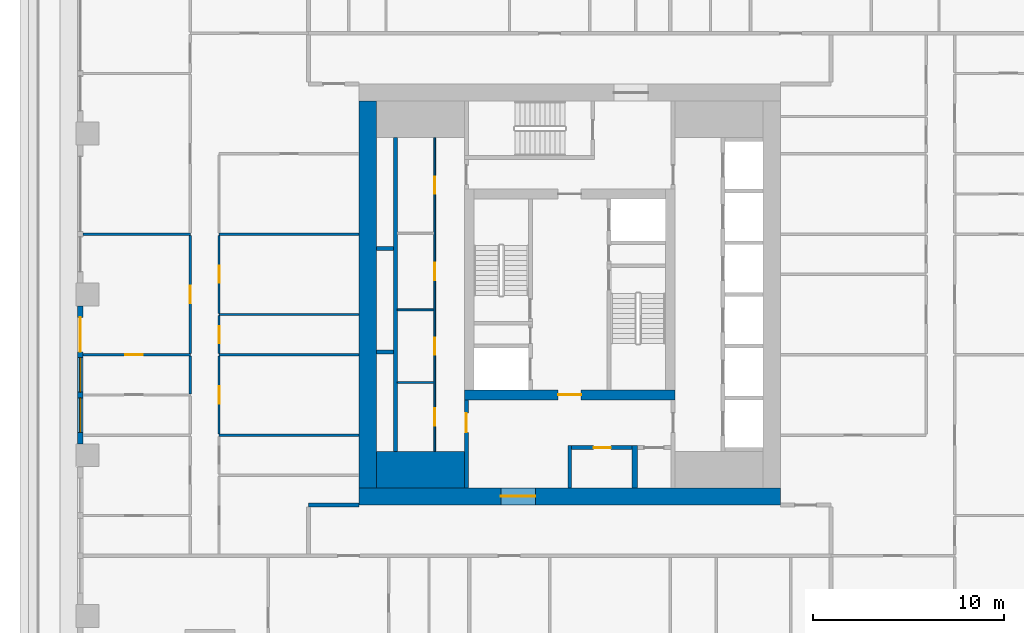
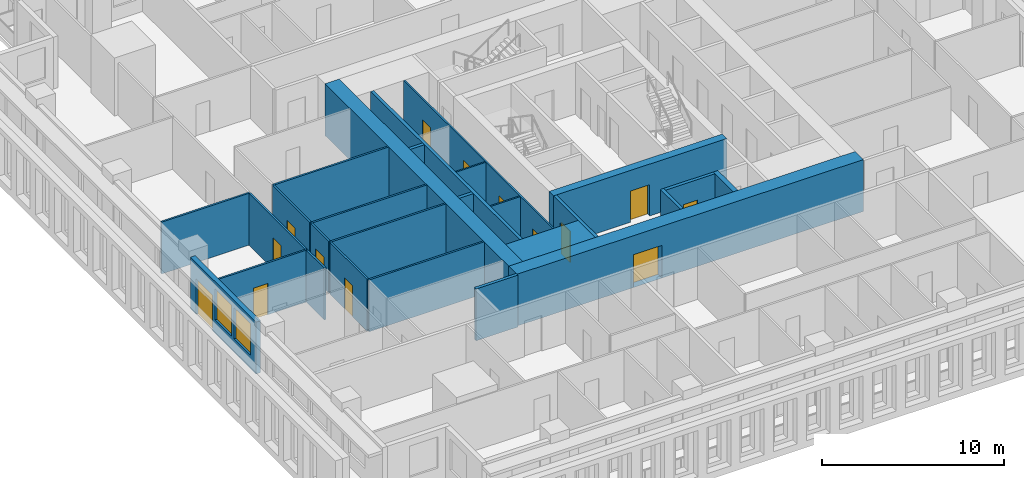
# One storey, part 3 of 15: 27 walls, 14 doors, 2 windows, 16 openings.
"""IFC4 building model written with IfcOpenShell, lengths in metres."""

from ifc_helpers import new_model, si_unit, direction, frame, frame_2d, origin, place, context, subcontext, project, spatial, rectangle, extrude, material, layer, layer_set, type_object, element, fill, save


model = new_model("IFC4")

# Units and contexts
model_context = context("Model", 3, precision=1e-05, world=origin(), true_north=direction((0.0, 1.0)))
body_context = subcontext(model_context, "Body", "Model", "MODEL_VIEW")
ifc_project = project(units=[si_unit("LENGTHUNIT", "METRE"), si_unit("AREAUNIT", "SQUARE_METRE"), si_unit("VOLUMEUNIT", "CUBIC_METRE"), si_unit("PLANEANGLEUNIT", "RADIAN"), si_unit("MASSUNIT", "GRAM", prefix="KILO")], contexts=[model_context])

# Site, building, storey
site_placement = place(None, origin())
site = spatial("IfcSite", under=ifc_project, at=site_placement, CompositionType="ELEMENT")
building_placement = place(site_placement, origin())
building = spatial("IfcBuilding", under=site, at=building_placement, Name="Khepri Terraces", CompositionType="ELEMENT")
storey_placement = place(building_placement, frame((0.0, 0.0, 161.10009765625)))
storey = spatial("IfcBuildingStorey", under=building, at=storey_placement, Name="L38", CompositionType="ELEMENT", Elevation=161.10009765625)

# Walls
ifc_material_1 = material(Name="Concrete C60/75", Category="concrete")
ifc_layer_1 = layer(ifc_material_1, 1.89990234375, Name="Concrete C60/75", Category="concrete")
ifc_layer_set_1 = layer_set([ifc_layer_1], Name="Concrete C60/75")
wall_type_1 = type_object("IfcWallType", Name="Core wall 1900 C60/75", PredefinedType="SHEAR", material=ifc_layer_set_1)
wall_1_placement = place(storey_placement, frame((-10.10009765625, -9.14990234375, 0.0), z_axis=(0.0, 0.0, 1.0), x_axis=(1.0, 0.0, 0.0)))
element("IfcWall", 1, at=wall_1_placement, inside=storey, type_object=wall_type_1, Name="Core wall PR01 L38", PredefinedType="SHEAR", context=body_context, shape_type="SweptSolid", body=[
    extrude(rectangle(XDim=4.60009765625, YDim=1.89990234375, at=frame_2d((2.300048828125, 0.0))), origin(), (0.0, 0.0, 1.0), 3.47998046875),
])
ifc_layer_2 = layer(ifc_material_1, 0.199951171875, Name="Concrete C60/75", Category="concrete")
ifc_layer_set_2 = layer_set([ifc_layer_2], Name="Concrete C60/75")
wall_type_2 = type_object("IfcWallType", Name="Core wall 200 C60/75", PredefinedType="SHEAR", material=ifc_layer_set_2)
wall_2_placement = place(storey_placement, frame((-9.10009765625, -8.199951171875, 0.0), z_axis=(0.0, 0.0, 1.0), x_axis=(0.0, 1.0, 0.0)))
element("IfcWall", 2, at=wall_2_placement, inside=storey, type_object=wall_type_2, Name="Core wall SH01 L38", PredefinedType="SHEAR", context=body_context, shape_type="SweptSolid", body=[
    extrude(rectangle(XDim=16.39990234375, YDim=0.199951171875, at=frame_2d((8.199951171875, 0.0))), origin(), (0.0, 0.0, 1.0), 3.47998046875),
])
for number, where, z_axis, x_axis, name in (
    (3, (-10.10009765625, -3.0, 0.0), (0.0, 0.0, 1.0), (1.0, 0.0, 0.0), "Core wall SH06 L38"),
    (4, (-10.10009765625, 2.39990234375, 0.0), (0.0, 0.0, 1.0), (1.0, 0.0, 0.0), "Core wall SH11 L38"),
):
    element("IfcWall", number, at=place(storey_placement, frame(where, z_axis=z_axis, x_axis=x_axis)), inside=storey, type_object=wall_type_2, Name=name, PredefinedType="SHEAR", context=body_context, shape_type="SweptSolid", body=[
        extrude(rectangle(XDim=0.900146484375, YDim=0.199951171875, at=frame_2d((0.4501953125, 0.0))), origin(), (0.0, 0.0, 1.0), 3.47998046875),
    ])

# Wall, opening, door
ifc_layer_3 = layer(ifc_material_1, 0.5, Name="Concrete C60/75", Category="concrete")
ifc_layer_set_3 = layer_set([ifc_layer_3], Name="Concrete C60/75")
wall_type_3 = type_object("IfcWallType", Name="Core wall 500 C60/75", PredefinedType="SHEAR", material=ifc_layer_set_3)
wall_3_placement = place(storey_placement, frame((-5.5, -5.25, 0.0), z_axis=(0.0, 0.0, 1.0), x_axis=(1.0, 0.0, 0.0)))
wall_3 = element("IfcWall", 5, at=wall_3_placement, inside=storey, type_object=wall_type_3, Name="Core wall BX01 L38", PredefinedType="SHEAR", context=body_context, shape_type="SweptSolid", body=[
    extrude(rectangle(XDim=11.0, YDim=0.5, at=frame_2d((5.5, 0.0))), origin(), (0.0, 0.0, 1.0), 3.47998046875),
])
opening_1_placement = place(wall_3_placement, frame((4.89990234375, 0.0, 0.0)))
opening_1 = element("IfcOpeningElement", 6, at=opening_1_placement, cuts=wall_3, Name="Opening L38-C14", PredefinedType="OPENING", context=body_context, shape_type="SweptSolid", body=[
    extrude(rectangle(XDim=1.199951171875, YDim=2.10009765625, at=frame_2d((0.60009765625, 1.050048828125))), frame((0.0, 0.260009765625, 0.0), z_axis=(0.0, -1.0, 0.0), x_axis=(1.0, 0.0, 0.0)), (0.0, 0.0, 1.0), 0.52001953125),
])
ifc_material_2 = material(Name="Painted steel", Category="steel")
door_type_1 = type_object("IfcDoorType", Name="DR-CORE-FF-LOBBY-1200", OperationType="NOTDEFINED", PredefinedType="DOOR", material=ifc_material_2)
door_1_placement = place(opening_1_placement, origin())
door_1 = element("IfcDoor", 7, at=door_1_placement, inside=storey, type_object=door_type_1, Name="Firefighting lobby door L38-C14", OperationType="SINGLE_SWING_RIGHT", OverallHeight=2.10009765625, OverallWidth=1.199951171875, PredefinedType="DOOR", context=body_context, shape_type="SweptSolid", body=[
    extrude(rectangle(XDim=1.199951171875, YDim=2.10009765625, at=frame_2d((0.60009765625, 1.050048828125))), frame((0.0, 0.02490234375, 0.0), z_axis=(0.0, -1.0, 0.0), x_axis=(1.0, 0.0, 0.0)), (0.0, 0.0, 1.0), 0.050048828125),
])
fill(opening_1, door_1)

ifc_layer_4 = layer(ifc_material_1, 0.89990234375, Name="Concrete C60/75", Category="concrete")
ifc_layer_set_4 = layer_set([ifc_layer_4], Name="Concrete C60/75")
wall_type_4 = type_object("IfcWallType", Name="Core wall 900 C60/75", PredefinedType="SHEAR", material=ifc_layer_set_4)
wall_4_placement = place(storey_placement, frame((-11.0, -10.550048828125, 0.0), z_axis=(0.0, 0.0, 1.0), x_axis=(1.0, 0.0, 0.0)))
wall_4 = element("IfcWall", 8, at=wall_4_placement, inside=storey, type_object=wall_type_4, Name="Core wall OW-S L38", PredefinedType="SHEAR", context=body_context, shape_type="SweptSolid", body=[
    extrude(rectangle(XDim=22.0, YDim=0.89990234375, at=frame_2d((11.0, 0.0))), origin(), (0.0, 0.0, 1.0), 3.47998046875),
])
opening_2_placement = place(wall_4_placement, frame((7.39990234375, 0.0, 0.0)))
opening_2 = element("IfcOpeningElement", 9, at=opening_2_placement, cuts=wall_4, Name="Opening L38-C21", PredefinedType="OPENING", context=body_context, shape_type="SweptSolid", body=[
    extrude(rectangle(XDim=1.800048828125, YDim=2.199951171875, at=frame_2d((0.89990234375, 1.10009765625))), frame((0.0, 0.4599609375, 0.0), z_axis=(0.0, -1.0, 0.0), x_axis=(1.0, 0.0, 0.0)), (0.0, 0.0, 1.0), 0.919921875),
])
door_type_2 = type_object("IfcDoorType", Name="DR-CORE-ENTRANCE-1800", OperationType="NOTDEFINED", PredefinedType="DOOR", material=ifc_material_2)
door_2_placement = place(opening_2_placement, frame((1.800048828125, 0.0, 0.0), z_axis=(0.0, 0.0, 1.0), x_axis=(-1.0, 0.0, 0.0)))
door_2 = element("IfcDoor", 10, at=door_2_placement, inside=storey, type_object=door_type_2, Name="Core entrance door pair L38-C21", OperationType="DOUBLE_DOOR_SINGLE_SWING", OverallHeight=2.199951171875, OverallWidth=1.800048828125, PredefinedType="DOOR", context=body_context, shape_type="SweptSolid", body=[
    extrude(rectangle(XDim=1.800048828125, YDim=2.199951171875, at=frame_2d((0.89990234375, 1.10009765625))), frame((0.0, 0.02490234375, 0.0), z_axis=(0.0, -1.0, 0.0), x_axis=(1.0, 0.0, 0.0)), (0.0, 0.0, 1.0), 0.050048828125),
])
fill(opening_2, door_2)

# Wall
wall_5_placement = place(storey_placement, frame((-10.550048828125, -10.10009765625, 0.0), z_axis=(0.0, 0.0, 1.0), x_axis=(0.0, 1.0, 0.0)))
element("IfcWall", 11, at=wall_5_placement, inside=storey, type_object=wall_type_4, Name="Core wall OW-W L38", PredefinedType="SHEAR", context=body_context, shape_type="SweptSolid", body=[
    extrude(rectangle(XDim=20.2001953125, YDim=0.89990234375, at=frame_2d((10.10009765625, 0.0))), origin(), (0.0, 0.0, 1.0), 3.47998046875),
])

# Wall, openings, doors
ifc_material_3 = material(Name="Fire-rated gypsum board partition")
ifc_layer_5 = layer(ifc_material_3, 0.10009765625, Name="Fire-rated gypsum board partition")
ifc_layer_set_5 = layer_set([ifc_layer_5], Name="Fire-rated gypsum board partition")
wall_type_5 = type_object("IfcWallType", Name="WL-CORE-PART-100", PredefinedType="PARTITIONING", material=ifc_layer_set_5)
wall_6_placement = place(storey_placement, frame((-7.050048828125, -8.199951171875, 0.0), z_axis=(0.0, 0.0, 1.0), x_axis=(0.0, 1.0, 0.0)))
wall_6 = element("IfcWall", 12, at=wall_6_placement, inside=storey, type_object=wall_type_5, Name="Core partition PT05 L38", PredefinedType="PARTITIONING", context=body_context, shape_type="SweptSolid", body=[
    extrude(rectangle(XDim=16.39990234375, YDim=0.10009765625, at=frame_2d((8.199951171875, 0.0))), origin(), (0.0, 0.0, 1.0), 3.47998046875),
])
opening_3_placement = place(wall_6_placement, frame((1.35009765625, 0.0, 0.0)))
opening_3 = element("IfcOpeningElement", 13, at=opening_3_placement, cuts=wall_6, Name="Opening L38-C24", PredefinedType="OPENING", context=body_context, shape_type="SweptSolid", body=[
    extrude(rectangle(XDim=0.89990234375, YDim=2.10009765625, at=frame_2d((0.449951171875, 1.050048828125))), frame((0.0, 0.06005859375, 0.0), z_axis=(0.0, -1.0, 0.0), x_axis=(1.0, 0.0, 0.0)), (0.0, 0.0, 1.0), 0.1201171875),
])
opening_4_placement = place(wall_6_placement, frame((5.050048828125, 0.0, 0.0)))
opening_4 = element("IfcOpeningElement", 14, at=opening_4_placement, cuts=wall_6, Name="Opening L38-C25", PredefinedType="OPENING", context=body_context, shape_type="SweptSolid", body=[
    extrude(rectangle(XDim=0.89990234375, YDim=2.10009765625, at=frame_2d((0.449951171875, 1.050048828125))), frame((0.0, 0.06005859375, 0.0), z_axis=(0.0, -1.0, 0.0), x_axis=(1.0, 0.0, 0.0)), (0.0, 0.0, 1.0), 0.1201171875),
])
opening_5_placement = place(wall_6_placement, frame((8.949951171875, 0.0, 0.0)))
opening_5 = element("IfcOpeningElement", 15, at=opening_5_placement, cuts=wall_6, Name="Opening L38-C26", PredefinedType="OPENING", context=body_context, shape_type="SweptSolid", body=[
    extrude(rectangle(XDim=0.89990234375, YDim=2.10009765625, at=frame_2d((0.449951171875, 1.050048828125))), frame((0.0, 0.06005859375, 0.0), z_axis=(0.0, -1.0, 0.0), x_axis=(1.0, 0.0, 0.0)), (0.0, 0.0, 1.0), 0.1201171875),
])
opening_6_placement = place(wall_6_placement, frame((13.449951171875, 0.0, 0.0)))
opening_6 = element("IfcOpeningElement", 16, at=opening_6_placement, cuts=wall_6, Name="Opening L38-C27", PredefinedType="OPENING", context=body_context, shape_type="SweptSolid", body=[
    extrude(rectangle(XDim=0.89990234375, YDim=2.10009765625, at=frame_2d((0.449951171875, 1.050048828125))), frame((0.0, 0.06005859375, 0.0), z_axis=(0.0, -1.0, 0.0), x_axis=(1.0, 0.0, 0.0)), (0.0, 0.0, 1.0), 0.1201171875),
])
door_type_3 = type_object("IfcDoorType", Name="DR-CORE-SERVICE-900", OperationType="NOTDEFINED", PredefinedType="DOOR", material=ifc_material_2)
door_3_placement = place(opening_3_placement, origin())
door_3 = element("IfcDoor", 17, at=door_3_placement, inside=storey, type_object=door_type_3, Name="Service room door L38-C24", OperationType="SINGLE_SWING_LEFT", OverallHeight=2.10009765625, OverallWidth=0.89990234375, PredefinedType="DOOR", context=body_context, shape_type="SweptSolid", body=[
    extrude(rectangle(XDim=0.89990234375, YDim=2.10009765625, at=frame_2d((0.449951171875, 1.050048828125))), frame((0.0, 0.02490234375, 0.0), z_axis=(0.0, -1.0, 0.0), x_axis=(1.0, 0.0, 0.0)), (0.0, 0.0, 1.0), 0.050048828125),
])
fill(opening_3, door_3)
door_4_placement = place(opening_4_placement, origin())
door_4 = element("IfcDoor", 18, at=door_4_placement, inside=storey, type_object=door_type_3, Name="Service room door L38-C25", OperationType="SINGLE_SWING_LEFT", OverallHeight=2.10009765625, OverallWidth=0.89990234375, PredefinedType="DOOR", context=body_context, shape_type="SweptSolid", body=[
    extrude(rectangle(XDim=0.89990234375, YDim=2.10009765625, at=frame_2d((0.449951171875, 1.050048828125))), frame((0.0, 0.02490234375, 0.0), z_axis=(0.0, -1.0, 0.0), x_axis=(1.0, 0.0, 0.0)), (0.0, 0.0, 1.0), 0.050048828125),
])
fill(opening_4, door_4)
door_5_placement = place(opening_5_placement, origin())
door_5 = element("IfcDoor", 19, at=door_5_placement, inside=storey, type_object=door_type_3, Name="Service room door L38-C26", OperationType="SINGLE_SWING_RIGHT", OverallHeight=2.10009765625, OverallWidth=0.89990234375, PredefinedType="DOOR", context=body_context, shape_type="SweptSolid", body=[
    extrude(rectangle(XDim=0.89990234375, YDim=2.10009765625, at=frame_2d((0.449951171875, 1.050048828125))), frame((0.0, 0.02490234375, 0.0), z_axis=(0.0, -1.0, 0.0), x_axis=(1.0, 0.0, 0.0)), (0.0, 0.0, 1.0), 0.050048828125),
])
fill(opening_5, door_5)
door_6_placement = place(opening_6_placement, origin())
door_6 = element("IfcDoor", 20, at=door_6_placement, inside=storey, type_object=door_type_3, Name="Service room door L38-C27", OperationType="SINGLE_SWING_RIGHT", OverallHeight=2.10009765625, OverallWidth=0.89990234375, PredefinedType="DOOR", context=body_context, shape_type="SweptSolid", body=[
    extrude(rectangle(XDim=0.89990234375, YDim=2.10009765625, at=frame_2d((0.449951171875, 1.050048828125))), frame((0.0, 0.02490234375, 0.0), z_axis=(0.0, -1.0, 0.0), x_axis=(1.0, 0.0, 0.0)), (0.0, 0.0, 1.0), 0.050048828125),
])
fill(opening_6, door_6)

# Walls
for number, where, z_axis, x_axis, name in (
    (21, (-9.0, -4.60009765625, 0.0), (0.0, 0.0, 1.0), (1.0, 0.0, 0.0), "Core partition PT08 L38"),
    (22, (-9.0, -0.800048828125, 0.0), (0.0, 0.0, 1.0), (1.0, 0.0, 0.0), "Core partition PT09 L38"),
):
    element("IfcWall", number, at=place(storey_placement, frame(where, z_axis=z_axis, x_axis=x_axis)), inside=storey, type_object=wall_type_5, Name=name, PredefinedType="PARTITIONING", context=body_context, shape_type="SweptSolid", body=[
        extrude(rectangle(XDim=1.89990234375, YDim=0.10009765625, at=frame_2d((0.949951171875, 0.0))), origin(), (0.0, 0.0, 1.0), 3.47998046875),
    ])

# Wall, opening, door
ifc_layer_6 = layer(ifc_material_3, 0.199951171875, Name="Fire-rated gypsum board partition")
ifc_layer_set_6 = layer_set([ifc_layer_6], Name="Fire-rated gypsum board partition")
wall_type_6 = type_object("IfcWallType", Name="WL-CORE-PART-200", PredefinedType="PARTITIONING", material=ifc_layer_set_6)
wall_7_placement = place(storey_placement, frame((-5.39990234375, -10.10009765625, 0.0), z_axis=(0.0, 0.0, 1.0), x_axis=(0.0, 1.0, 0.0)))
wall_7 = element("IfcWall", 23, at=wall_7_placement, inside=storey, type_object=wall_type_6, Name="Core partition PT01 L38", PredefinedType="PARTITIONING", context=body_context, shape_type="SweptSolid", body=[
    extrude(rectangle(XDim=4.60009765625, YDim=0.199951171875, at=frame_2d((2.300048828125, 0.0))), origin(), (0.0, 0.0, 1.0), 3.47998046875),
])
opening_7_placement = place(wall_7_placement, frame((2.89990234375, 0.0, 0.0)))
opening_7 = element("IfcOpeningElement", 24, at=opening_7_placement, cuts=wall_7, Name="Opening L38-C18", PredefinedType="OPENING", context=body_context, shape_type="SweptSolid", body=[
    extrude(rectangle(XDim=1.0, YDim=2.10009765625, at=frame_2d((0.5, 1.050048828125))), frame((0.0, 0.10986328125, 0.0), z_axis=(0.0, -1.0, 0.0), x_axis=(1.0, 0.0, 0.0)), (0.0, 0.0, 1.0), 0.219970703125),
])
door_type_4 = type_object("IfcDoorType", Name="DR-CORE-LOBBY-1000", OperationType="NOTDEFINED", PredefinedType="DOOR", material=ifc_material_2)
door_7_placement = place(opening_7_placement, frame((1.0, 0.0, 0.0), z_axis=(0.0, 0.0, 1.0), x_axis=(-1.0, 0.0, 0.0)))
door_7 = element("IfcDoor", 25, at=door_7_placement, inside=storey, type_object=door_type_4, Name="Lobby door L38-C18", OperationType="SINGLE_SWING_LEFT", OverallHeight=2.10009765625, OverallWidth=1.0, PredefinedType="DOOR", context=body_context, shape_type="SweptSolid", body=[
    extrude(rectangle(XDim=1.0, YDim=2.10009765625, at=frame_2d((0.5, 1.050048828125))), frame((0.0, 0.02490234375, 0.0), z_axis=(0.0, -1.0, 0.0), x_axis=(1.0, 0.0, 0.0)), (0.0, 0.0, 1.0), 0.050048828125),
])
fill(opening_7, door_7)

# Wall
wall_8_placement = place(storey_placement, frame((0.0, -10.10009765625, 0.0), z_axis=(0.0, 0.0, 1.0), x_axis=(0.0, 1.0, 0.0)))
element("IfcWall", 26, at=wall_8_placement, inside=storey, type_object=wall_type_6, Name="Core partition PT02 L38", PredefinedType="PARTITIONING", context=body_context, shape_type="SweptSolid", body=[
    extrude(rectangle(XDim=2.2001953125, YDim=0.199951171875, at=frame_2d((1.10009765625, 0.0))), origin(), (0.0, 0.0, 1.0), 3.47998046875),
])

# Wall, opening, door
wall_9_placement = place(storey_placement, frame((0.10009765625, -8.0, 0.0), z_axis=(0.0, 0.0, 1.0), x_axis=(1.0, 0.0, 0.0)))
wall_9 = element("IfcWall", 27, at=wall_9_placement, inside=storey, type_object=wall_type_6, Name="Core partition PT06 L38", PredefinedType="PARTITIONING", context=body_context, shape_type="SweptSolid", body=[
    extrude(rectangle(XDim=3.14990234375, YDim=0.199951171875, at=frame_2d((1.574951171875, 0.0))), origin(), (0.0, 0.0, 1.0), 3.47998046875),
])
opening_8_placement = place(wall_9_placement, frame((1.14990234375, 0.0, 0.0)))
opening_8 = element("IfcOpeningElement", 28, at=opening_8_placement, cuts=wall_9, Name="Opening L38-C22", PredefinedType="OPENING", context=body_context, shape_type="SweptSolid", body=[
    extrude(rectangle(XDim=0.89990234375, YDim=2.10009765625, at=frame_2d((0.449951171875, 1.050048828125))), frame((0.0, 0.10986328125, 0.0), z_axis=(0.0, -1.0, 0.0), x_axis=(1.0, 0.0, 0.0)), (0.0, 0.0, 1.0), 0.219970703125),
])
door_8_placement = place(opening_8_placement, frame((0.89990234375, 0.0, 0.0), z_axis=(0.0, 0.0, 1.0), x_axis=(-1.0, 0.0, 0.0)))
door_8 = element("IfcDoor", 29, at=door_8_placement, inside=storey, type_object=door_type_3, Name="Service room door L38-C22", OperationType="SINGLE_SWING_LEFT", OverallHeight=2.10009765625, OverallWidth=0.89990234375, PredefinedType="DOOR", context=body_context, shape_type="SweptSolid", body=[
    extrude(rectangle(XDim=0.89990234375, YDim=2.10009765625, at=frame_2d((0.449951171875, 1.050048828125))), frame((0.0, 0.02490234375, 0.0), z_axis=(0.0, -1.0, 0.0), x_axis=(1.0, 0.0, 0.0)), (0.0, 0.0, 1.0), 0.050048828125),
])
fill(opening_8, door_8)

# Walls
ifc_layer_7 = layer(ifc_material_3, 0.300048828125, Name="Fire-rated gypsum board partition")
ifc_layer_set_7 = layer_set([ifc_layer_7], Name="Fire-rated gypsum board partition")
wall_type_7 = type_object("IfcWallType", Name="WL-CORE-PART-300", PredefinedType="PARTITIONING", material=ifc_layer_set_7)
wall_10_placement = place(storey_placement, frame((3.39990234375, -10.10009765625, 0.0), z_axis=(0.0, 0.0, 1.0), x_axis=(0.0, 1.0, 0.0)))
element("IfcWall", 30, at=wall_10_placement, inside=storey, type_object=wall_type_7, Name="Core partition PT03 L38", PredefinedType="PARTITIONING", context=body_context, shape_type="SweptSolid", body=[
    extrude(rectangle(XDim=2.2001953125, YDim=0.300048828125, at=frame_2d((1.10009765625, 0.0))), origin(), (0.0, 0.0, 1.0), 3.47998046875),
])
ifc_material_4 = material(Name="Fire-rated gypsum plasterboard partition, mineral wool")
ifc_layer_8 = layer(ifc_material_4, 0.199951171875, Name="Fire-rated gypsum plasterboard partition, mineral wool")
ifc_layer_set_8 = layer_set([ifc_layer_8], Name="Fire-rated gypsum plasterboard partition, mineral wool")
wall_type_8 = type_object("IfcWallType", Name="WL-CORR-200", PredefinedType="PARTITIONING", material=ifc_layer_set_8)
wall_11_placement = place(storey_placement, frame((-13.64990234375, -11.0, 0.0), z_axis=(0.0, 0.0, 1.0), x_axis=(1.0, 0.0, 0.0)))
element("IfcWall", 31, at=wall_11_placement, inside=storey, type_object=wall_type_8, Name="Partition P-034 L38", PredefinedType="PARTITIONING", context=body_context, shape_type="SweptSolid", body=[
    extrude(rectangle(XDim=2.64990234375, YDim=0.199951171875, at=frame_2d((1.324951171875, 0.0))), origin(), (0.0, 0.0, 1.0), 3.47998046875),
])

# Wall, openings, door, windows
ifc_material_5 = material(Name="Precast concrete C50/60 warm stone", Category="masonry")
ifc_layer_9 = layer(ifc_material_5, 0.300048828125, Name="Precast concrete C50/60 warm stone", Category="masonry")
ifc_layer_set_9 = layer_set([ifc_layer_9], Name="Precast concrete C50/60 warm stone")
wall_type_9 = type_object("IfcWallType", Name="WL-EXT-PRECAST-300", PredefinedType="STANDARD", material=ifc_layer_set_9)
wall_12_placement = place(storey_placement, frame((-25.570068359375, -0.60009765625, 0.0), z_axis=(0.0, 0.0, 1.0), x_axis=(0.0, -1.0, 0.0)))
wall_12 = element("IfcWall", 32, at=wall_12_placement, inside=storey, type_object=wall_type_9, Name="External wall L38 W", PredefinedType="STANDARD", context=body_context, shape_type="SweptSolid", body=[
    extrude(rectangle(XDim=7.199951171875, YDim=0.300048828125, at=frame_2d((3.60009765625, 0.0))), origin(), (0.0, 0.0, 1.0), 3.47998046875),
])
opening_9_placement = place(wall_12_placement, frame((0.60009765625, 0.0, 0.0)))
opening_9 = element("IfcOpeningElement", 33, at=opening_9_placement, cuts=wall_12, Name="Opening ED-L38-17", PredefinedType="OPENING", context=body_context, shape_type="SweptSolid", body=[
    extrude(rectangle(XDim=1.800048828125, YDim=2.39990234375, at=frame_2d((0.89990234375, 1.199951171875))), frame((0.0, 0.16015625, 0.0), z_axis=(0.0, -1.0, 0.0), x_axis=(1.0, 0.0, 0.0)), (0.0, 0.0, 1.0), 0.320068359375),
])
opening_10_placement = place(wall_12_placement, frame((2.699951171875, 0.0, 0.89990234375)))
opening_10 = element("IfcOpeningElement", 34, at=opening_10_placement, cuts=wall_12, Name="Opening W1", PredefinedType="OPENING", context=body_context, shape_type="SweptSolid", body=[
    extrude(rectangle(XDim=1.800048828125, YDim=2.10009765625, at=frame_2d((0.89990234375, 1.050048828125))), frame((0.0, 0.16015625, 0.0), z_axis=(0.0, -1.0, 0.0), x_axis=(1.0, 0.0, 0.0)), (0.0, 0.0, 1.0), 0.320068359375),
])
opening_11_placement = place(wall_12_placement, frame((4.800048828125, 0.0, 0.89990234375)))
opening_11 = element("IfcOpeningElement", 35, at=opening_11_placement, cuts=wall_12, Name="Opening W1", PredefinedType="OPENING", context=body_context, shape_type="SweptSolid", body=[
    extrude(rectangle(XDim=1.800048828125, YDim=2.10009765625, at=frame_2d((0.89990234375, 1.050048828125))), frame((0.0, 0.16015625, 0.0), z_axis=(0.0, -1.0, 0.0), x_axis=(1.0, 0.0, 0.0)), (0.0, 0.0, 1.0), 0.320068359375),
])
ifc_material_6 = material(Name="Anodised aluminium bronze glazed door", Category="aluminium")
door_type_5 = type_object("IfcDoorType", Name="DR-BAL-SLIDE-1800x2400", OperationType="NOTDEFINED", PredefinedType="DOOR", material=ifc_material_6)
door_9_placement = place(opening_9_placement, origin())
door_9 = element("IfcDoor", 36, at=door_9_placement, inside=storey, type_object=door_type_5, Name="Balcony door L38 W", OperationType="SLIDING_TO_LEFT", OverallHeight=2.39990234375, OverallWidth=1.800048828125, PredefinedType="DOOR", context=body_context, shape_type="SweptSolid", body=[
    extrude(rectangle(XDim=1.800048828125, YDim=2.39990234375, at=frame_2d((0.89990234375, 1.199951171875))), frame((0.0, 0.02490234375, 0.0), z_axis=(0.0, -1.0, 0.0), x_axis=(1.0, 0.0, 0.0)), (0.0, 0.0, 1.0), 0.050048828125),
])
fill(opening_9, door_9)
ifc_material_7 = material(Name="Clear glass", Category="glass")
window_type = type_object("IfcWindowType", Name="WIN-RES-1800x2100", PartitioningType="SINGLE_PANEL", PredefinedType="WINDOW", material=ifc_material_7)
window_1_placement = place(opening_10_placement, origin())
window_1 = element("IfcWindow", 37, at=window_1_placement, inside=storey, type_object=window_type, Name="Window L38 W", OverallHeight=2.10009765625, OverallWidth=1.800048828125, PartitioningType="SINGLE_PANEL", PredefinedType="WINDOW", context=body_context, shape_type="SweptSolid", body=[
    extrude(rectangle(XDim=1.800048828125, YDim=2.10009765625, at=frame_2d((0.89990234375, 1.050048828125))), frame((0.0, 0.030029296875, 0.0), z_axis=(0.0, -1.0, 0.0), x_axis=(1.0, 0.0, 0.0)), (0.0, 0.0, 1.0), 0.06005859375),
])
fill(opening_10, window_1)
window_2_placement = place(opening_11_placement, origin())
window_2 = element("IfcWindow", 38, at=window_2_placement, inside=storey, type_object=window_type, Name="Window L38 W", OverallHeight=2.10009765625, OverallWidth=1.800048828125, PartitioningType="SINGLE_PANEL", PredefinedType="WINDOW", context=body_context, shape_type="SweptSolid", body=[
    extrude(rectangle(XDim=1.800048828125, YDim=2.10009765625, at=frame_2d((0.89990234375, 1.050048828125))), frame((0.0, 0.030029296875, 0.0), z_axis=(0.0, -1.0, 0.0), x_axis=(1.0, 0.0, 0.0)), (0.0, 0.0, 1.0), 0.06005859375),
])
fill(opening_11, window_2)

# Wall
ifc_material_8 = material(Name="Gypsum plasterboard partition")
ifc_layer_10 = layer(ifc_material_8, 0.1201171875, Name="Gypsum plasterboard partition")
ifc_layer_set_10 = layer_set([ifc_layer_10], Name="Gypsum plasterboard partition")
wall_type_10 = type_object("IfcWallType", Name="WL-PART-120", PredefinedType="PARTITIONING", material=ifc_layer_set_10)
wall_13_placement = place(storey_placement, frame((-18.320068359375, -7.35009765625, 0.0), z_axis=(0.0, 0.0, 1.0), x_axis=(1.0, 0.0, 0.0)))
element("IfcWall", 39, at=wall_13_placement, inside=storey, type_object=wall_type_10, Name="Partition P-039 L38", PredefinedType="PARTITIONING", context=body_context, shape_type="SweptSolid", body=[
    extrude(rectangle(XDim=7.320068359375, YDim=0.1201171875, at=frame_2d((3.66015625, 0.0))), origin(), (0.0, 0.0, 1.0), 3.47998046875),
])

# Wall, opening, door
wall_14_placement = place(storey_placement, frame((-18.320068359375, -7.2900390625, 0.0), z_axis=(0.0, 0.0, 1.0), x_axis=(0.0, 1.0, 0.0)))
wall_14 = element("IfcWall", 40, at=wall_14_placement, inside=storey, type_object=wall_type_10, Name="Partition P-042 L38", PredefinedType="PARTITIONING", context=body_context, shape_type="SweptSolid", body=[
    extrude(rectangle(XDim=4.080078125, YDim=0.1201171875, at=frame_2d((2.0400390625, 0.0))), origin(), (0.0, 0.0, 1.0), 3.47998046875),
])
opening_12_placement = place(wall_14_placement, frame((1.590087890625, 0.0, 0.0)))
opening_12 = element("IfcOpeningElement", 41, at=opening_12_placement, cuts=wall_14, Name="Opening D3", PredefinedType="OPENING", context=body_context, shape_type="SweptSolid", body=[
    extrude(rectangle(XDim=0.89990234375, YDim=2.10009765625, at=frame_2d((0.449951171875, 1.050048828125))), frame((0.0, 0.070068359375, 0.0), z_axis=(0.0, -1.0, 0.0), x_axis=(1.0, 0.0, 0.0)), (0.0, 0.0, 1.0), 0.14013671875),
])
ifc_material_9 = material(Name="Timber door leaf", Category="wood")
door_type_6 = type_object("IfcDoorType", Name="DR-INT-900", OperationType="NOTDEFINED", PredefinedType="DOOR", material=ifc_material_9)
door_10_placement = place(opening_12_placement, frame((0.89990234375, 0.0, 0.0), z_axis=(0.0, 0.0, 1.0), x_axis=(-1.0, 0.0, 0.0)))
door_10 = element("IfcDoor", 42, at=door_10_placement, inside=storey, type_object=door_type_6, Name="Door Staff Bedroom", OperationType="SINGLE_SWING_LEFT", OverallHeight=2.10009765625, OverallWidth=0.89990234375, PredefinedType="DOOR", context=body_context, shape_type="SweptSolid", body=[
    extrude(rectangle(XDim=0.89990234375, YDim=2.10009765625, at=frame_2d((0.449951171875, 1.050048828125))), frame((0.0, 0.02490234375, 0.0), z_axis=(0.0, -1.0, 0.0), x_axis=(1.0, 0.0, 0.0)), (0.0, 0.0, 1.0), 0.050048828125),
])
fill(opening_12, door_10)

# Wall
wall_15_placement = place(storey_placement, frame((-19.820068359375, -5.18994140625, 0.0), z_axis=(0.0, 0.0, 1.0), x_axis=(0.0, 1.0, 0.0)))
element("IfcWall", 43, at=wall_15_placement, inside=storey, type_object=wall_type_10, Name="Partition P-045 L38", PredefinedType="PARTITIONING", context=body_context, shape_type="SweptSolid", body=[
    extrude(rectangle(XDim=1.97998046875, YDim=0.1201171875, at=frame_2d((0.989990234375, 0.0))), origin(), (0.0, 0.0, 1.0), 3.47998046875),
])

# Wall, opening, door
wall_16_placement = place(storey_placement, frame((-25.419921875, -3.14990234375, 0.0), z_axis=(0.0, 0.0, 1.0), x_axis=(1.0, 0.0, 0.0)))
wall_16 = element("IfcWall", 44, at=wall_16_placement, inside=storey, type_object=wall_type_10, Name="Partition P-046 L38", PredefinedType="PARTITIONING", context=body_context, shape_type="SweptSolid", body=[
    extrude(rectangle(XDim=5.599853515625, YDim=0.1201171875, at=frame_2d((2.7998046875, 0.0))), origin(), (0.0, 0.0, 1.0), 3.47998046875),
])
opening_13_placement = place(wall_16_placement, frame((2.199951171875, 0.0, 0.0)))
opening_13 = element("IfcOpeningElement", 45, at=opening_13_placement, cuts=wall_16, Name="Opening D3", PredefinedType="OPENING", context=body_context, shape_type="SweptSolid", body=[
    extrude(rectangle(XDim=0.89990234375, YDim=2.10009765625, at=frame_2d((0.449951171875, 1.050048828125))), frame((0.0, 0.070068359375, 0.0), z_axis=(0.0, -1.0, 0.0), x_axis=(1.0, 0.0, 0.0)), (0.0, 0.0, 1.0), 0.14013671875),
])
door_11_placement = place(opening_13_placement, frame((0.89990234375, 0.0, 0.0), z_axis=(0.0, 0.0, 1.0), x_axis=(-1.0, 0.0, 0.0)))
door_11 = element("IfcDoor", 46, at=door_11_placement, inside=storey, type_object=door_type_6, Name="Door Dressing Room", OperationType="SINGLE_SWING_RIGHT", OverallHeight=2.10009765625, OverallWidth=0.89990234375, PredefinedType="DOOR", context=body_context, shape_type="SweptSolid", body=[
    extrude(rectangle(XDim=0.89990234375, YDim=2.10009765625, at=frame_2d((0.449951171875, 1.050048828125))), frame((0.0, 0.02490234375, 0.0), z_axis=(0.0, -1.0, 0.0), x_axis=(1.0, 0.0, 0.0)), (0.0, 0.0, 1.0), 0.050048828125),
])
fill(opening_13, door_11)

# Wall
wall_17_placement = place(storey_placement, frame((-18.320068359375, -3.14990234375, 0.0), z_axis=(0.0, 0.0, 1.0), x_axis=(1.0, 0.0, 0.0)))
element("IfcWall", 47, at=wall_17_placement, inside=storey, type_object=wall_type_10, Name="Partition P-047 L38", PredefinedType="PARTITIONING", context=body_context, shape_type="SweptSolid", body=[
    extrude(rectangle(XDim=7.320068359375, YDim=0.1201171875, at=frame_2d((3.66015625, 0.0))), origin(), (0.0, 0.0, 1.0), 3.47998046875),
])

# Wall, opening, door
wall_18_placement = place(storey_placement, frame((-19.820068359375, -3.090087890625, 0.0), z_axis=(0.0, 0.0, 1.0), x_axis=(0.0, 1.0, 0.0)))
wall_18 = element("IfcWall", 48, at=wall_18_placement, inside=storey, type_object=wall_type_10, Name="Partition P-050 L38", PredefinedType="PARTITIONING", context=body_context, shape_type="SweptSolid", body=[
    extrude(rectangle(XDim=6.18017578125, YDim=0.1201171875, at=frame_2d((3.090087890625, 0.0))), origin(), (0.0, 0.0, 1.0), 3.47998046875),
])
opening_14_placement = place(wall_18_placement, frame((2.639892578125, 0.0, 0.0)))
opening_14 = element("IfcOpeningElement", 49, at=opening_14_placement, cuts=wall_18, Name="Opening D3", PredefinedType="OPENING", context=body_context, shape_type="SweptSolid", body=[
    extrude(rectangle(XDim=0.89990234375, YDim=2.10009765625, at=frame_2d((0.449951171875, 1.050048828125))), frame((0.0, 0.070068359375, 0.0), z_axis=(0.0, -1.0, 0.0), x_axis=(1.0, 0.0, 0.0)), (0.0, 0.0, 1.0), 0.14013671875),
])
door_12_placement = place(opening_14_placement, origin())
door_12 = element("IfcDoor", 50, at=door_12_placement, inside=storey, type_object=door_type_6, Name="Door Master Bedroom", OperationType="SINGLE_SWING_RIGHT", OverallHeight=2.10009765625, OverallWidth=0.89990234375, PredefinedType="DOOR", context=body_context, shape_type="SweptSolid", body=[
    extrude(rectangle(XDim=0.89990234375, YDim=2.10009765625, at=frame_2d((0.449951171875, 1.050048828125))), frame((0.0, 0.02490234375, 0.0), z_axis=(0.0, -1.0, 0.0), x_axis=(1.0, 0.0, 0.0)), (0.0, 0.0, 1.0), 0.050048828125),
])
fill(opening_14, door_12)

wall_19_placement = place(storey_placement, frame((-18.320068359375, -3.090087890625, 0.0), z_axis=(0.0, 0.0, 1.0), x_axis=(0.0, 1.0, 0.0)))
wall_19 = element("IfcWall", 51, at=wall_19_placement, inside=storey, type_object=wall_type_10, Name="Partition P-051 L38", PredefinedType="PARTITIONING", context=body_context, shape_type="SweptSolid", body=[
    extrude(rectangle(XDim=1.97998046875, YDim=0.1201171875, at=frame_2d((0.989990234375, 0.0))), origin(), (0.0, 0.0, 1.0), 3.47998046875),
])
opening_15_placement = place(wall_19_placement, frame((0.5400390625, 0.0, 0.0)))
opening_15 = element("IfcOpeningElement", 52, at=opening_15_placement, cuts=wall_19, Name="Opening D4", PredefinedType="OPENING", context=body_context, shape_type="SweptSolid", body=[
    extrude(rectangle(XDim=0.89990234375, YDim=2.10009765625, at=frame_2d((0.449951171875, 1.050048828125))), frame((0.0, 0.070068359375, 0.0), z_axis=(0.0, -1.0, 0.0), x_axis=(1.0, 0.0, 0.0)), (0.0, 0.0, 1.0), 0.14013671875),
])
ifc_material_10 = material(Name="Timber door leaf, moisture resistant", Category="wood")
door_type_7 = type_object("IfcDoorType", Name="DR-WET-900", OperationType="NOTDEFINED", PredefinedType="DOOR", material=ifc_material_10)
door_13_placement = place(opening_15_placement, frame((0.89990234375, 0.0, 0.0), z_axis=(0.0, 0.0, 1.0), x_axis=(-1.0, 0.0, 0.0)))
door_13 = element("IfcDoor", 53, at=door_13_placement, inside=storey, type_object=door_type_7, Name="Door Powder Room", OperationType="SINGLE_SWING_RIGHT", OverallHeight=2.10009765625, OverallWidth=0.89990234375, PredefinedType="DOOR", context=body_context, shape_type="SweptSolid", body=[
    extrude(rectangle(XDim=0.89990234375, YDim=2.10009765625, at=frame_2d((0.449951171875, 1.050048828125))), frame((0.0, 0.02490234375, 0.0), z_axis=(0.0, -1.0, 0.0), x_axis=(1.0, 0.0, 0.0)), (0.0, 0.0, 1.0), 0.050048828125),
])
fill(opening_15, door_13)

# Wall
wall_20_placement = place(storey_placement, frame((-18.320068359375, -1.050048828125, 0.0), z_axis=(0.0, 0.0, 1.0), x_axis=(1.0, 0.0, 0.0)))
element("IfcWall", 54, at=wall_20_placement, inside=storey, type_object=wall_type_10, Name="Partition P-054 L38", PredefinedType="PARTITIONING", context=body_context, shape_type="SweptSolid", body=[
    extrude(rectangle(XDim=7.320068359375, YDim=0.1201171875, at=frame_2d((3.66015625, 0.0))), origin(), (0.0, 0.0, 1.0), 3.47998046875),
])

# Wall, opening, door
wall_21_placement = place(storey_placement, frame((-18.320068359375, -0.989990234375, 0.0), z_axis=(0.0, 0.0, 1.0), x_axis=(0.0, 1.0, 0.0)))
wall_21 = element("IfcWall", 55, at=wall_21_placement, inside=storey, type_object=wall_type_10, Name="Partition P-055 L38", PredefinedType="PARTITIONING", context=body_context, shape_type="SweptSolid", body=[
    extrude(rectangle(XDim=4.080078125, YDim=0.1201171875, at=frame_2d((2.0400390625, 0.0))), origin(), (0.0, 0.0, 1.0), 3.47998046875),
])
opening_16_placement = place(wall_21_placement, frame((1.590087890625, 0.0, 0.0)))
opening_16 = element("IfcOpeningElement", 56, at=opening_16_placement, cuts=wall_21, Name="Opening D3", PredefinedType="OPENING", context=body_context, shape_type="SweptSolid", body=[
    extrude(rectangle(XDim=0.89990234375, YDim=2.10009765625, at=frame_2d((0.449951171875, 1.050048828125))), frame((0.0, 0.070068359375, 0.0), z_axis=(0.0, -1.0, 0.0), x_axis=(1.0, 0.0, 0.0)), (0.0, 0.0, 1.0), 0.14013671875),
])
door_14_placement = place(opening_16_placement, frame((0.89990234375, 0.0, 0.0), z_axis=(0.0, 0.0, 1.0), x_axis=(-1.0, 0.0, 0.0)))
door_14 = element("IfcDoor", 57, at=door_14_placement, inside=storey, type_object=door_type_6, Name="Door Utility Room", OperationType="SINGLE_SWING_LEFT", OverallHeight=2.10009765625, OverallWidth=0.89990234375, PredefinedType="DOOR", context=body_context, shape_type="SweptSolid", body=[
    extrude(rectangle(XDim=0.89990234375, YDim=2.10009765625, at=frame_2d((0.449951171875, 1.050048828125))), frame((0.0, 0.02490234375, 0.0), z_axis=(0.0, -1.0, 0.0), x_axis=(1.0, 0.0, 0.0)), (0.0, 0.0, 1.0), 0.050048828125),
])
fill(opening_16, door_14)

# Walls
wall_22_placement = place(storey_placement, frame((-25.419921875, 3.14990234375, 0.0), z_axis=(0.0, 0.0, 1.0), x_axis=(1.0, 0.0, 0.0)))
element("IfcWall", 58, at=wall_22_placement, inside=storey, type_object=wall_type_10, Name="Partition P-058 L38", PredefinedType="PARTITIONING", context=body_context, shape_type="SweptSolid", body=[
    extrude(rectangle(XDim=5.599853515625, YDim=0.1201171875, at=frame_2d((2.7998046875, 0.0))), origin(), (0.0, 0.0, 1.0), 3.47998046875),
])
wall_23_placement = place(storey_placement, frame((-18.320068359375, 3.14990234375, 0.0), z_axis=(0.0, 0.0, 1.0), x_axis=(1.0, 0.0, 0.0)))
element("IfcWall", 59, at=wall_23_placement, inside=storey, type_object=wall_type_10, Name="Partition P-059 L38", PredefinedType="PARTITIONING", context=body_context, shape_type="SweptSolid", body=[
    extrude(rectangle(XDim=7.320068359375, YDim=0.1201171875, at=frame_2d((3.66015625, 0.0))), origin(), (0.0, 0.0, 1.0), 3.47998046875),
])

save(model, "model.ifc")
